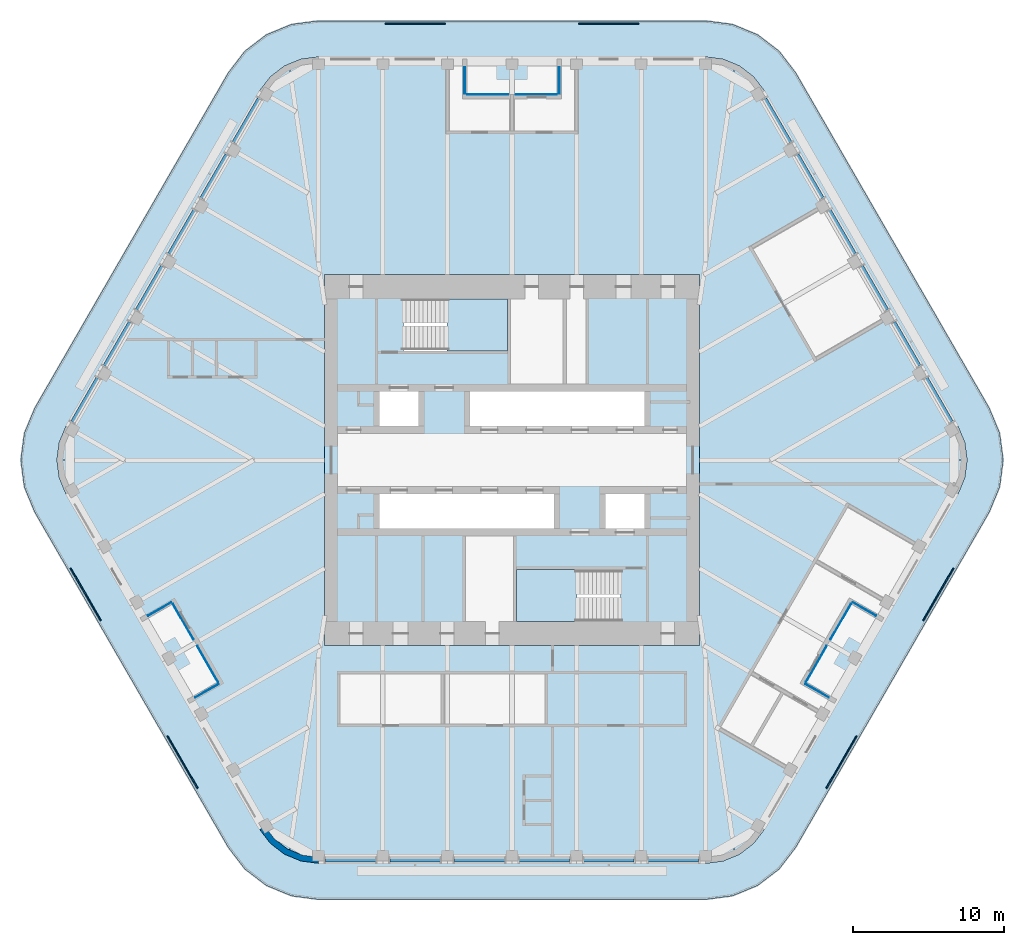
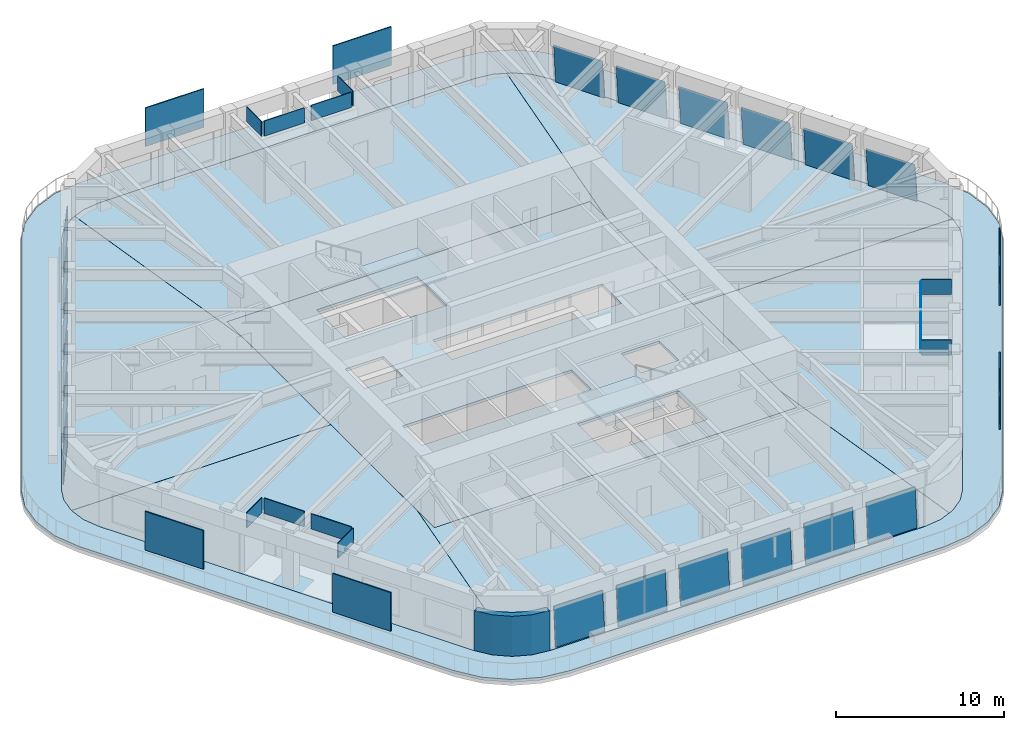
# One storey, part 12 of 20: 36 plates, 10 slabs, 1 wall, 20 elements without a shape of their own.
"""IFC4 building model written with IfcOpenShell, lengths in metres."""

from ifc_helpers import new_model, si_unit, direction, frame, origin, origin_2d, place, context, subcontext, project, spatial, polyline, rectangle, outline, extrude, material, layer, layer_set, type_object, element, aggregate, save


model = new_model("IFC4")

# Units and contexts
model_context = context("Model", 3, precision=1e-05, world=origin(), true_north=direction((0.0, 1.0)))
body_context = subcontext(model_context, "Body", "Model", "MODEL_VIEW")
ifc_project = project(units=[si_unit("LENGTHUNIT", "METRE"), si_unit("AREAUNIT", "SQUARE_METRE"), si_unit("VOLUMEUNIT", "CUBIC_METRE"), si_unit("PLANEANGLEUNIT", "RADIAN"), si_unit("MASSUNIT", "GRAM", prefix="KILO")], contexts=[model_context])

# Site, building, storey
site_placement = place(None, origin())
site = spatial("IfcSite", under=ifc_project, at=site_placement, CompositionType="ELEMENT")
building_placement = place(site_placement, origin())
building = spatial("IfcBuilding", under=site, at=building_placement, Name="Tarfa Lantern Tower", CompositionType="ELEMENT")
storey_placement = place(building_placement, frame((0.0, 0.0, 382.89990234375)))
storey = spatial("IfcBuildingStorey", under=building, at=storey_placement, Name="L87", CompositionType="ELEMENT", Elevation=382.89990234375)

# Slab
ifc_material_1 = material(Name="Concrete C40/50", Category="concrete")
ifc_layer_1 = layer(ifc_material_1, 0.199951171875)
ifc_layer_set_1 = layer_set([ifc_layer_1], Name="BS2 BALCONY SLAB 200")
slab_type_1 = type_object("IfcSlabType", Name="BS2 BALCONY SLAB 200", PredefinedType="FLOOR", material=ifc_layer_set_1)
slab_1_placement = place(storey_placement, frame((0.0, 0.0, -0.199951171875)))
element("IfcSlab", 1, at=slab_1_placement, inside=storey, type_object=slab_type_1, Name="Balcony L87", PredefinedType="FLOOR", context=body_context, shape_type="SweptSolid", body=[
    extrude(outline(polyline([(31.667724609375, 3.449951171875), (18.821533203125, 25.699951171875), (17.72509765625, 27.129150390625), (16.296142578125, 28.2255859375), (14.6318359375, 28.914794921875), (12.845947265625, 29.14990234375), (-12.845947265625, 29.14990234375), (-14.6318359375, 28.914794921875), (-16.296142578125, 28.2255859375), (-17.72509765625, 27.129150390625), (-18.821533203125, 25.699951171875), (-31.667724609375, 3.449951171875), (-32.35693359375, 1.785888671875), (-32.592041015625, 0.0), (-32.35693359375, -1.785888671875), (-31.667724609375, -3.449951171875), (-18.821533203125, -25.699951171875), (-17.72509765625, -27.129150390625), (-16.296142578125, -28.2255859375), (-14.6318359375, -28.914794921875), (-12.845947265625, -29.14990234375), (12.845947265625, -29.14990234375), (14.6318359375, -28.914794921875), (16.296142578125, -28.2255859375), (17.72509765625, -27.129150390625), (18.821533203125, -25.699951171875), (31.667724609375, -3.449951171875), (32.35693359375, -1.785888671875), (32.592041015625, 0.0), (32.35693359375, 1.785888671875), (31.667724609375, 3.449951171875)]), holes=[polyline([(29.589111328125, 2.25), (16.7431640625, 24.5), (16.028076171875, 25.431884765625), (15.095947265625, 26.147216796875), (14.0107421875, 26.5966796875), (12.845947265625, 26.75), (-12.845947265625, 26.75), (-14.0107421875, 26.5966796875), (-15.095947265625, 26.147216796875), (-16.028076171875, 25.431884765625), (-16.7431640625, 24.5), (-29.589111328125, 2.25), (-30.038818359375, 1.164794921875), (-30.192138671875, 0.0), (-30.038818359375, -1.164794921875), (-29.589111328125, -2.25), (-16.7431640625, -24.5), (-16.028076171875, -25.431884765625), (-15.095947265625, -26.147216796875), (-14.0107421875, -26.5966796875), (-12.845947265625, -26.75), (12.845947265625, -26.75), (14.0107421875, -26.5966796875), (15.095947265625, -26.147216796875), (16.028076171875, -25.431884765625), (16.7431640625, -24.5), (29.589111328125, -2.25), (30.038818359375, -1.164794921875), (30.192138671875, 0.0), (30.038818359375, 1.164794921875), (29.589111328125, 2.25)])]), origin(), (0.0, 0.0, 1.0), 0.199951171875),
])

# Curtain wall, plate
ifc_material_2 = material(Name="Aluminium framed curtain wall", Category="aluminium")
curtain_wall_type = type_object("IfcCurtainWallType", Name="CW4 CANTED GLAZING EXECUTIVE ZONE 2900", PredefinedType="USERDEFINED", material=ifc_material_2)
curtain_wall_1_placement = place(storey_placement, origin())
curtain_wall_1 = element("IfcCurtainWall", 2, at=curtain_wall_1_placement, inside=storey, type_object=curtain_wall_type, Name="CW4 NE L87", ObjectType="CURTAIN WALL", PredefinedType="USERDEFINED")
ifc_material_3 = material(Name="Laminated double glazing", Category="glass")
ifc_layer_2 = layer(ifc_material_3, 0.028076171875)
ifc_layer_set_2 = layer_set([ifc_layer_2], Name="CWP1 DOUBLE GLAZED PANEL")
plate_type_1 = type_object("IfcPlateType", Name="CWP1 DOUBLE GLAZED PANEL", PredefinedType="CURTAIN_PANEL", material=ifc_layer_set_2)
plate_1_placement = place(storey_placement, frame((29.27001953125, 2.602783203125, 0.0), z_axis=(0.862824887016, 0.498153387104, 0.08588607141), x_axis=(-0.500001024418, 0.866024812334, 1.558116e-06)))
plate_1 = element("IfcPlate", 3, at=plate_1_placement, type_object=plate_type_1, Name="CW4 panel 1.1", PredefinedType="CURTAIN_PANEL", context=body_context, shape_type="SweptSolid", body=[
    extrude(outline(polyline([(0.0, 0.0), (3.3519389773641257, 0.0), (3.3520626532439786, 2.8457148720581014), (-8.775595909633403e-05, 2.8457253565473764), (0.0, 0.0)])), origin(), (0.0, 0.0, -1.0), 0.028076171875),
])
aggregate(curtain_wall_1, [plate_1])

curtain_wall_2_placement = place(storey_placement, origin())
curtain_wall_2 = element("IfcCurtainWall", 4, at=curtain_wall_2_placement, inside=storey, type_object=curtain_wall_type, Name="CW4 NE L87", ObjectType="CURTAIN WALL", PredefinedType="USERDEFINED")
plate_2_placement = place(storey_placement, frame((27.129150390625, 6.31103515625, 0.0), z_axis=(0.862824887016, 0.498153387104, 0.08588607141), x_axis=(-0.500001024418, 0.866024812334, 1.558116e-06)))
plate_2 = element("IfcPlate", 5, at=plate_2_placement, type_object=plate_type_1, Name="CW4 panel 1.1", PredefinedType="CURTAIN_PANEL", context=body_context, shape_type="SweptSolid", body=[
    extrude(outline(polyline([(0.0, 0.0), (3.3519389773641257, 0.0), (3.3520626532439786, 2.8457148720581014), (-8.775595909633403e-05, 2.8457253565473764), (0.0, 0.0)])), origin(), (0.0, 0.0, -1.0), 0.028076171875),
])
aggregate(curtain_wall_2, [plate_2])

curtain_wall_3_placement = place(storey_placement, origin())
curtain_wall_3 = element("IfcCurtainWall", 6, at=curtain_wall_3_placement, inside=storey, type_object=curtain_wall_type, Name="CW4 NE L87", ObjectType="CURTAIN WALL", PredefinedType="USERDEFINED")
plate_3_placement = place(storey_placement, frame((24.988037109375, 10.019287109375, 0.0), z_axis=(0.862824887016, 0.498153387104, 0.08588607141), x_axis=(-0.500000791782, 0.866024946647, -1.558018e-06)))
plate_3 = element("IfcPlate", 7, at=plate_3_placement, type_object=plate_type_1, Name="CW4 panel 1.1", PredefinedType="CURTAIN_PANEL", context=body_context, shape_type="SweptSolid", body=[
    extrude(outline(polyline([(0.0, 0.0), (3.3521504092194707, 1.3877787807814457e-17), (3.3520537527119694, 2.845725356258983), (0.0001147753642385805, 2.8457148724310017), (0.0, 0.0)])), origin(), (0.0, 0.0, -1.0), 0.028076171875),
])
aggregate(curtain_wall_3, [plate_3])

curtain_wall_4_placement = place(storey_placement, origin())
curtain_wall_4 = element("IfcCurtainWall", 8, at=curtain_wall_4_placement, inside=storey, type_object=curtain_wall_type, Name="CW4 NE L87", ObjectType="CURTAIN WALL", PredefinedType="USERDEFINED")
plate_4_placement = place(storey_placement, frame((22.84716796875, 13.727783203125, 0.0), z_axis=(0.862824887016, 0.498153387104, 0.08588607141), x_axis=(-0.500001024418, 0.866024812334, 1.558116e-06)))
plate_4 = element("IfcPlate", 9, at=plate_4_placement, type_object=plate_type_1, Name="CW4 panel 1.1", PredefinedType="CURTAIN_PANEL", context=body_context, shape_type="SweptSolid", body=[
    extrude(outline(polyline([(0.0, 0.0), (3.3519389773641257, 0.0), (3.3520626532439786, 2.8457148720581014), (-8.775595909633403e-05, 2.8457253565473764), (0.0, 0.0)])), origin(), (0.0, 0.0, -1.0), 0.028076171875),
])
aggregate(curtain_wall_4, [plate_4])

curtain_wall_5_placement = place(storey_placement, origin())
curtain_wall_5 = element("IfcCurtainWall", 10, at=curtain_wall_5_placement, inside=storey, type_object=curtain_wall_type, Name="CW4 NE L87", ObjectType="CURTAIN WALL", PredefinedType="USERDEFINED")
plate_5_placement = place(storey_placement, frame((20.7060546875, 17.43603515625, 0.0), z_axis=(0.862824887016, 0.498153387104, 0.08588607141), x_axis=(-0.500001024418, 0.866024812334, 1.558116e-06)))
plate_5 = element("IfcPlate", 11, at=plate_5_placement, type_object=plate_type_1, Name="CW4 panel 1.1", PredefinedType="CURTAIN_PANEL", context=body_context, shape_type="SweptSolid", body=[
    extrude(outline(polyline([(0.0, 0.0), (3.3519389773641257, 0.0), (3.3520626532439786, 2.8457148720581014), (-8.775595909633403e-05, 2.8457253565473764), (0.0, 0.0)])), origin(), (0.0, 0.0, -1.0), 0.028076171875),
])
aggregate(curtain_wall_5, [plate_5])

curtain_wall_6_placement = place(storey_placement, origin())
curtain_wall_6 = element("IfcCurtainWall", 12, at=curtain_wall_6_placement, inside=storey, type_object=curtain_wall_type, Name="CW4 NE L87", ObjectType="CURTAIN WALL", PredefinedType="USERDEFINED")
plate_6_placement = place(storey_placement, frame((18.56494140625, 21.144287109375, 0.0), z_axis=(0.862843349937, 0.498127763815, 0.085849195601), x_axis=(-0.499973277357, 0.866040831549, -4.254882e-06)))
plate_6 = element("IfcPlate", 13, at=plate_6_placement, type_object=plate_type_1, Name="CW4 panel 1.1", PredefinedType="CURTAIN_PANEL", context=body_context, shape_type="SweptSolid", body=[
    extrude(outline(polyline([(0.0, 0.0), (3.352028345637818, -1.3877787807814457e-17), (3.3519162760379455, 2.845725351493968), (-2.2697638399912954e-05, 2.845696721205734), (0.0, 0.0)])), origin(), (0.0, 0.0, -1.0), 0.028076171875),
])
aggregate(curtain_wall_6, [plate_6])

curtain_wall_7_placement = place(storey_placement, origin())
curtain_wall_7 = element("IfcCurtainWall", 14, at=curtain_wall_7_placement, inside=storey, type_object=curtain_wall_type, Name="CW4 NW L87", ObjectType="CURTAIN WALL", PredefinedType="USERDEFINED")
plate_7_placement = place(storey_placement, frame((-16.88916015625, 24.04736328125, 0.0), z_axis=(-0.862843349937, 0.498127763815, 0.085849195601), x_axis=(-0.499973277357, -0.866040831549, 4.254882e-06)))
plate_7 = element("IfcPlate", 15, at=plate_7_placement, type_object=plate_type_1, Name="CW4 panel 1.1", PredefinedType="CURTAIN_PANEL", context=body_context, shape_type="SweptSolid", body=[
    extrude(outline(polyline([(0.0, 0.0), (3.352028345637818, 1.3877787807814457e-17), (3.352051043276218, 2.845696721205734), (0.00011206959987255532, 2.845725351493968), (0.0, 0.0)])), origin(), (0.0, 0.0, -1.0), 0.028076171875),
])
aggregate(curtain_wall_7, [plate_7])

curtain_wall_8_placement = place(storey_placement, origin())
curtain_wall_8 = element("IfcCurtainWall", 16, at=curtain_wall_8_placement, inside=storey, type_object=curtain_wall_type, Name="CW4 NW L87", ObjectType="CURTAIN WALL", PredefinedType="USERDEFINED")
plate_8_placement = place(storey_placement, frame((-19.030029296875, 20.3388671875, 0.0), z_axis=(-0.862824887016, 0.498153387104, 0.08588607141), x_axis=(-0.500001024418, -0.866024812334, -1.558116e-06)))
plate_8 = element("IfcPlate", 17, at=plate_8_placement, type_object=plate_type_1, Name="CW4 panel 1.1", PredefinedType="CURTAIN_PANEL", context=body_context, shape_type="SweptSolid", body=[
    extrude(outline(polyline([(0.0, 0.0), (3.3519389773641257, 0.0), (3.352026733323222, 2.8457253565473764), (-0.00012367587985246333, 2.8457148720581014), (0.0, 0.0)])), origin(), (0.0, 0.0, -1.0), 0.028076171875),
])
aggregate(curtain_wall_8, [plate_8])

curtain_wall_9_placement = place(storey_placement, origin())
curtain_wall_9 = element("IfcCurtainWall", 18, at=curtain_wall_9_placement, inside=storey, type_object=curtain_wall_type, Name="CW4 NW L87", ObjectType="CURTAIN WALL", PredefinedType="USERDEFINED")
plate_9_placement = place(storey_placement, frame((-21.171142578125, 16.630615234375, 0.0), z_axis=(-0.862824887016, 0.498153387104, 0.08588607141), x_axis=(-0.500001024418, -0.866024812334, -1.558116e-06)))
plate_9 = element("IfcPlate", 19, at=plate_9_placement, type_object=plate_type_1, Name="CW4 panel 1.1", PredefinedType="CURTAIN_PANEL", context=body_context, shape_type="SweptSolid", body=[
    extrude(outline(polyline([(0.0, 0.0), (3.3519389773641257, 0.0), (3.352026733323222, 2.8457253565473764), (-0.00012367587985246333, 2.8457148720581014), (0.0, 0.0)])), origin(), (0.0, 0.0, -1.0), 0.028076171875),
])
aggregate(curtain_wall_9, [plate_9])

curtain_wall_10_placement = place(storey_placement, origin())
curtain_wall_10 = element("IfcCurtainWall", 20, at=curtain_wall_10_placement, inside=storey, type_object=curtain_wall_type, Name="CW4 NW L87", ObjectType="CURTAIN WALL", PredefinedType="USERDEFINED")
plate_10_placement = place(storey_placement, frame((-23.31201171875, 12.92236328125, 0.0), z_axis=(-0.862824887016, 0.498153387104, 0.08588607141), x_axis=(-0.500000791782, -0.866024946647, 1.558018e-06)))
plate_10 = element("IfcPlate", 21, at=plate_10_placement, type_object=plate_type_1, Name="CW4 panel 1.1", PredefinedType="CURTAIN_PANEL", context=body_context, shape_type="SweptSolid", body=[
    extrude(outline(polyline([(0.0, 0.0), (3.3521504092194707, -1.3877787807814457e-17), (3.3520356338552317, 2.8457148724310017), (9.665650750141717e-05, 2.845725356258983), (0.0, 0.0)])), origin(), (0.0, 0.0, -1.0), 0.028076171875),
])
aggregate(curtain_wall_10, [plate_10])

curtain_wall_11_placement = place(storey_placement, origin())
curtain_wall_11 = element("IfcCurtainWall", 22, at=curtain_wall_11_placement, inside=storey, type_object=curtain_wall_type, Name="CW4 NW L87", ObjectType="CURTAIN WALL", PredefinedType="USERDEFINED")
plate_11_placement = place(storey_placement, frame((-25.453125, 9.2138671875, 0.0), z_axis=(-0.862824887016, 0.498153387104, 0.08588607141), x_axis=(-0.500001024418, -0.866024812334, -1.558116e-06)))
plate_11 = element("IfcPlate", 23, at=plate_11_placement, type_object=plate_type_1, Name="CW4 panel 1.1", PredefinedType="CURTAIN_PANEL", context=body_context, shape_type="SweptSolid", body=[
    extrude(outline(polyline([(0.0, 0.0), (3.3519389773641257, 0.0), (3.352026733323222, 2.8457253565473764), (-0.00012367587985246333, 2.8457148720581014), (0.0, 0.0)])), origin(), (0.0, 0.0, -1.0), 0.028076171875),
])
aggregate(curtain_wall_11, [plate_11])

curtain_wall_12_placement = place(storey_placement, origin())
curtain_wall_12 = element("IfcCurtainWall", 24, at=curtain_wall_12_placement, inside=storey, type_object=curtain_wall_type, Name="CW4 NW L87", ObjectType="CURTAIN WALL", PredefinedType="USERDEFINED")
plate_12_placement = place(storey_placement, frame((-27.593994140625, 5.505615234375, 0.0), z_axis=(-0.862824887016, 0.498153387104, 0.08588607141), x_axis=(-0.500001024418, -0.866024812334, -1.558116e-06)))
plate_12 = element("IfcPlate", 25, at=plate_12_placement, type_object=plate_type_1, Name="CW4 panel 1.1", PredefinedType="CURTAIN_PANEL", context=body_context, shape_type="SweptSolid", body=[
    extrude(outline(polyline([(0.0, 0.0), (3.3519389773641257, 0.0), (3.352026733323222, 2.8457253565473764), (-0.00012367587985246333, 2.8457148720581014), (0.0, 0.0)])), origin(), (0.0, 0.0, -1.0), 0.028076171875),
])
aggregate(curtain_wall_12, [plate_12])

curtain_wall_13_placement = place(storey_placement, origin())
curtain_wall_13 = element("IfcCurtainWall", 26, at=curtain_wall_13_placement, inside=storey, type_object=curtain_wall_type, Name="CW4 S L87", ObjectType="CURTAIN WALL", PredefinedType="USERDEFINED")
plate_13_placement = place(storey_placement, frame((-12.381103515625, -26.64990234375, 0.0), z_axis=(0.0, -0.996305654944, 0.08587806429), x_axis=(1.0, 0.0, 0.0)))
plate_13 = element("IfcPlate", 27, at=plate_13_placement, type_object=plate_type_1, Name="CW4 panel 1.1", PredefinedType="CURTAIN_PANEL", context=body_context, shape_type="SweptSolid", body=[
    extrude(outline(polyline([(0.0, 0.0), (3.35205078125, 0.0), (3.35205078125, 2.845718142876306), (0.0, 2.845718142876306), (0.0, 0.0)])), origin(), (0.0, 0.0, -1.0), 0.028076171875),
])
aggregate(curtain_wall_13, [plate_13])

curtain_wall_14_placement = place(storey_placement, origin())
curtain_wall_14 = element("IfcCurtainWall", 28, at=curtain_wall_14_placement, inside=storey, type_object=curtain_wall_type, Name="CW4 S L87", ObjectType="CURTAIN WALL", PredefinedType="USERDEFINED")
plate_14_placement = place(storey_placement, frame((-8.09912109375, -26.64990234375, 0.0), z_axis=(0.0, -0.996305654944, 0.08587806429), x_axis=(1.0, 0.0, 0.0)))
plate_14 = element("IfcPlate", 29, at=plate_14_placement, type_object=plate_type_1, Name="CW4 panel 1.1", PredefinedType="CURTAIN_PANEL", context=body_context, shape_type="SweptSolid", body=[
    extrude(outline(polyline([(0.0, 0.0), (3.35205078125, 0.0), (3.35205078125, 2.845718142876306), (0.0, 2.845718142876306), (0.0, 0.0)])), origin(), (0.0, 0.0, -1.0), 0.028076171875),
])
aggregate(curtain_wall_14, [plate_14])

curtain_wall_15_placement = place(storey_placement, origin())
curtain_wall_15 = element("IfcCurtainWall", 30, at=curtain_wall_15_placement, inside=storey, type_object=curtain_wall_type, Name="CW4 S L87", ObjectType="CURTAIN WALL", PredefinedType="USERDEFINED")
plate_15_placement = place(storey_placement, frame((-3.81689453125, -26.64990234375, 0.0), z_axis=(0.0, -0.996305654944, 0.08587806429), x_axis=(1.0, 0.0, 0.0)))
plate_15 = element("IfcPlate", 31, at=plate_15_placement, type_object=plate_type_1, Name="CW4 panel 1.1", PredefinedType="CURTAIN_PANEL", context=body_context, shape_type="SweptSolid", body=[
    extrude(outline(polyline([(0.0, 0.0), (3.351806640625, 0.0), (3.351806640625, 2.845718142876306), (0.0, 2.845718142876306), (0.0, 0.0)])), origin(), (0.0, 0.0, -1.0), 0.028076171875),
])
aggregate(curtain_wall_15, [plate_15])

curtain_wall_16_placement = place(storey_placement, origin())
curtain_wall_16 = element("IfcCurtainWall", 32, at=curtain_wall_16_placement, inside=storey, type_object=curtain_wall_type, Name="CW4 S L87", ObjectType="CURTAIN WALL", PredefinedType="USERDEFINED")
plate_16_placement = place(storey_placement, frame((0.465087890625, -26.64990234375, 0.0), z_axis=(0.0, -0.996305654944, 0.08587806429), x_axis=(1.0, 0.0, 0.0)))
plate_16 = element("IfcPlate", 33, at=plate_16_placement, type_object=plate_type_1, Name="CW4 panel 1.1", PredefinedType="CURTAIN_PANEL", context=body_context, shape_type="SweptSolid", body=[
    extrude(outline(polyline([(0.0, 0.0), (3.351806640625, 0.0), (3.351806640625, 2.845718142876306), (0.0, 2.845718142876306), (0.0, 0.0)])), origin(), (0.0, 0.0, -1.0), 0.028076171875),
])
aggregate(curtain_wall_16, [plate_16])

curtain_wall_17_placement = place(storey_placement, origin())
curtain_wall_17 = element("IfcCurtainWall", 34, at=curtain_wall_17_placement, inside=storey, type_object=curtain_wall_type, Name="CW4 S L87", ObjectType="CURTAIN WALL", PredefinedType="USERDEFINED")
plate_17_placement = place(storey_placement, frame((4.7470703125, -26.64990234375, 0.0), z_axis=(0.0, -0.996305654944, 0.08587806429), x_axis=(1.0, 0.0, 0.0)))
plate_17 = element("IfcPlate", 35, at=plate_17_placement, type_object=plate_type_1, Name="CW4 panel 1.1", PredefinedType="CURTAIN_PANEL", context=body_context, shape_type="SweptSolid", body=[
    extrude(outline(polyline([(0.0, 0.0), (3.35205078125, 0.0), (3.35205078125, 2.845718142876306), (0.0, 2.845718142876306), (0.0, 0.0)])), origin(), (0.0, 0.0, -1.0), 0.028076171875),
])
aggregate(curtain_wall_17, [plate_17])

curtain_wall_18_placement = place(storey_placement, origin())
curtain_wall_18 = element("IfcCurtainWall", 36, at=curtain_wall_18_placement, inside=storey, type_object=curtain_wall_type, Name="CW4 S L87", ObjectType="CURTAIN WALL", PredefinedType="USERDEFINED")
plate_18_placement = place(storey_placement, frame((9.029052734375, -26.64990234375, 0.0), z_axis=(0.0, -0.996305654944, 0.08587806429), x_axis=(1.0, 0.0, 0.0)))
plate_18 = element("IfcPlate", 37, at=plate_18_placement, type_object=plate_type_1, Name="CW4 panel 1.1", PredefinedType="CURTAIN_PANEL", context=body_context, shape_type="SweptSolid", body=[
    extrude(outline(polyline([(0.0, 0.0), (3.35205078125, 0.0), (3.35205078125, 2.845718142876306), (0.0, 2.845718142876306), (0.0, 0.0)])), origin(), (0.0, 0.0, -1.0), 0.028076171875),
])
aggregate(curtain_wall_18, [plate_18])

# Slabs
ifc_layer_3 = layer(ifc_material_1, 0.199951171875)
ifc_layer_set_3 = layer_set([ifc_layer_3], Name="FS1 FLOOR SLAB 200")
slab_type_2 = type_object("IfcSlabType", Name="FS1 FLOOR SLAB 200", PredefinedType="FLOOR", material=ifc_layer_set_3)
slab_2_placement = place(storey_placement, frame((0.0, 0.0, -0.199951171875)))
element("IfcSlab", 38, at=slab_2_placement, inside=storey, type_object=slab_type_2, Name="Floor slab L87", PredefinedType="FLOOR", context=body_context, shape_type="SweptSolid", body=[
    extrude(outline(polyline([(-12.425048828125, -12.300048828125), (12.425048828125, -12.300048828125), (12.425048828125, 12.300048828125), (-12.425048828125, 12.300048828125), (-12.425048828125, -12.300048828125)]), holes=[polyline([(-8.800048828125, 2.25), (-6.199951171875, 2.25), (-6.199951171875, 4.550048828125), (-8.800048828125, 4.550048828125), (-8.800048828125, 2.25)]), polyline([(-2.800048828125, 2.25), (8.800048828125, 2.25), (8.800048828125, 4.550048828125), (-2.800048828125, 4.550048828125), (-2.800048828125, 2.25)]), polyline([(8.800048828125, -2.25), (6.199951171875, -2.25), (6.199951171875, -4.550048828125), (8.800048828125, -4.550048828125), (8.800048828125, -2.25)]), polyline([(2.800048828125, -2.25), (-8.800048828125, -2.25), (-8.800048828125, -4.550048828125), (2.800048828125, -4.550048828125), (2.800048828125, -2.25)]), polyline([(-7.199951171875, 7.25), (-0.300048828125, 7.25), (-0.300048828125, 10.699951171875), (-7.199951171875, 10.699951171875), (-7.199951171875, 7.25)]), polyline([(7.199951171875, -7.25), (0.300048828125, -7.25), (0.300048828125, -10.699951171875), (7.199951171875, -10.699951171875), (7.199951171875, -7.25)])]), origin(), (0.0, 0.0, 1.0), 0.199951171875),
])
slab_3_placement = place(storey_placement, frame((0.0, 0.0, -0.199951171875)))
element("IfcSlab", 39, at=slab_3_placement, inside=storey, type_object=slab_type_2, Name="Floor slab L87 NE bay", PredefinedType="FLOOR", context=body_context, shape_type="SweptSolid", body=[
    extrude(outline(polyline([(29.58740234375, 2.2490234375), (16.741455078125, 24.498779296875), (16.026611328125, 25.4306640625), (15.094970703125, 26.145263671875), (14.802001953125, 26.2666015625), (12.427001953125, 10.2998046875), (12.427001953125, 0.001953125), (30.189697265625, 0.001953125), (30.036865234375, 1.1640625), (29.58740234375, 2.2490234375)])), origin(), (0.0, 0.0, 1.0), 0.199951171875),
])
slab_4_placement = place(storey_placement, frame((0.0, 0.0, -0.199951171875)))
element("IfcSlab", 40, at=slab_4_placement, inside=storey, type_object=slab_type_2, Name="Floor slab L87 N bay", PredefinedType="FLOOR", context=body_context, shape_type="SweptSolid", body=[
    extrude(outline(polyline([(-12.427001953125, 10.3271484375), (-12.427001953125, 12.302001953125), (12.427001953125, 12.302001953125), (12.427001953125, 10.3271484375), (14.79833984375, 26.268310546875), (14.01025390625, 26.5947265625), (12.845947265625, 26.748046875), (-12.845947265625, 26.748046875), (-14.01025390625, 26.5947265625), (-14.79833984375, 26.268310546875), (-12.427001953125, 10.3271484375)])), origin(), (0.0, 0.0, 1.0), 0.199951171875),
])
slab_5_placement = place(storey_placement, frame((0.0, 0.0, -0.199951171875)))
element("IfcSlab", 41, at=slab_5_placement, inside=storey, type_object=slab_type_2, Name="Floor slab L87 NW bay", PredefinedType="FLOOR", context=body_context, shape_type="SweptSolid", body=[
    extrude(outline(polyline([(-12.427001953125, 0.001953125), (-12.427001953125, 10.2998046875), (-14.802001953125, 26.2666015625), (-15.094970703125, 26.145263671875), (-16.026611328125, 25.4306640625), (-16.741455078125, 24.498779296875), (-29.58740234375, 2.2490234375), (-30.036865234375, 1.1640625), (-30.189697265625, 0.001953125), (-12.427001953125, 0.001953125)])), origin(), (0.0, 0.0, 1.0), 0.199951171875),
])
slab_6_placement = place(storey_placement, frame((0.0, 0.0, -0.199951171875)))
element("IfcSlab", 42, at=slab_6_placement, inside=storey, type_object=slab_type_2, Name="Floor slab L87 SW bay", PredefinedType="FLOOR", context=body_context, shape_type="SweptSolid", body=[
    extrude(outline(polyline([(-12.427001953125, -10.2998046875), (-12.427001953125, -0.001953125), (-30.189697265625, -0.001953125), (-30.036865234375, -1.1640625), (-29.58740234375, -2.2490234375), (-16.741455078125, -24.498779296875), (-16.026611328125, -25.4306640625), (-15.094970703125, -26.145263671875), (-14.802001953125, -26.2666015625), (-12.427001953125, -10.2998046875)])), origin(), (0.0, 0.0, 1.0), 0.199951171875),
])
slab_7_placement = place(storey_placement, frame((0.0, 0.0, -0.199951171875)))
element("IfcSlab", 43, at=slab_7_placement, inside=storey, type_object=slab_type_2, Name="Floor slab L87 S bay", PredefinedType="FLOOR", context=body_context, shape_type="SweptSolid", body=[
    extrude(outline(polyline([(12.427001953125, -10.3271484375), (12.427001953125, -12.302001953125), (-12.427001953125, -12.302001953125), (-12.427001953125, -10.3271484375), (-14.79833984375, -26.268310546875), (-14.01025390625, -26.5947265625), (-12.845947265625, -26.748046875), (12.845947265625, -26.748046875), (14.01025390625, -26.5947265625), (14.79833984375, -26.268310546875), (12.427001953125, -10.3271484375)])), origin(), (0.0, 0.0, 1.0), 0.199951171875),
])
slab_8_placement = place(storey_placement, frame((0.0, 0.0, -0.199951171875)))
element("IfcSlab", 44, at=slab_8_placement, inside=storey, type_object=slab_type_2, Name="Floor slab L87 SE bay", PredefinedType="FLOOR", context=body_context, shape_type="SweptSolid", body=[
    extrude(outline(polyline([(12.427001953125, -0.001953125), (12.427001953125, -10.2998046875), (14.802001953125, -26.2666015625), (15.094970703125, -26.145263671875), (16.026611328125, -25.4306640625), (16.741455078125, -24.498779296875), (29.58740234375, -2.2490234375), (30.036865234375, -1.1640625), (30.189697265625, -0.001953125), (12.427001953125, -0.001953125)])), origin(), (0.0, 0.0, 1.0), 0.199951171875),
])

# Plates
ifc_material_4 = material(Name="Aluminium fascia panel", Category="aluminium")
ifc_layer_4 = layer(ifc_material_4, 0.050048828125)
ifc_layer_set_4 = layer_set([ifc_layer_4], Name="LF1 LOGGIA HEAD FASCIA 50")
plate_type_2 = type_object("IfcPlateType", Name="LF1 LOGGIA HEAD FASCIA 50", PredefinedType="USERDEFINED", material=ifc_layer_set_4)
for number, where, z_axis, x_axis, name in (
    (45, (1.615966796875, 24.25, 2.900146484375), (0.0, 0.0, 1.0), (-1.0, 0.0, 0.0), "Terrace head fascia N"),
    (46, (-1.615966796875, 24.25, 2.900146484375), (0.0, 0.0, 1.0), (-1.0, 0.0, 0.0), "Terrace head fascia N"),
):
    element("IfcPlate", number, at=place(storey_placement, frame(where, z_axis=z_axis, x_axis=x_axis)), inside=storey, type_object=plate_type_2, Name=name, ObjectType="FASCIA", PredefinedType="USERDEFINED", context=body_context, shape_type="SweptSolid", body=[
        extrude(rectangle(XDim=2.73193359375, YDim=0.050048828125, at=origin_2d()), origin(), (0.0, 0.0, 1.0), 1.10009765625),
    ])
for number, where, z_axis, x_axis, name in (
    (47, (3.132080078125, 25.18505859375, 2.900146484375), (0.0, 0.0, 1.0), (0.0, -1.0, 0.0), "Terrace head fascia N"),
    (48, (-3.132080078125, 25.18505859375, 2.900146484375), (0.0, 0.0, 1.0), (0.0, -1.0, 0.0), "Terrace head fascia N"),
):
    element("IfcPlate", number, at=place(storey_placement, frame(where, z_axis=z_axis, x_axis=x_axis)), inside=storey, type_object=plate_type_2, Name=name, ObjectType="FASCIA", PredefinedType="USERDEFINED", context=body_context, shape_type="SweptSolid", body=[
        extrude(rectangle(XDim=1.77001953125, YDim=0.050048828125, at=origin_2d()), origin(), (0.0, 0.0, 1.0), 1.10009765625),
    ])
for number, where, z_axis, x_axis, name in (
    (49, (-21.80908203125, -10.7255859375, 2.900146484375), (0.0, 0.0, 1.0), (0.5, -0.866025403784, 0.0), "Terrace head fascia SW"),
    (50, (-20.193115234375, -13.5244140625, 2.900146484375), (0.0, 0.0, 1.0), (0.5, -0.866025403784, 0.0), "Terrace head fascia SW"),
):
    element("IfcPlate", number, at=place(storey_placement, frame(where, z_axis=z_axis, x_axis=x_axis)), inside=storey, type_object=plate_type_2, Name=name, ObjectType="FASCIA", PredefinedType="USERDEFINED", context=body_context, shape_type="SweptSolid", body=[
        extrude(rectangle(XDim=2.73193359375, YDim=0.050048828125, at=origin_2d()), origin(), (0.0, 0.0, 1.0), 1.10009765625),
    ])
for number, where, z_axis, x_axis, name in (
    (51, (-23.376953125, -9.880126953125, 2.900146484375), (0.0, 0.0, 1.0), (0.866025403784, 0.5, 0.0), "Terrace head fascia SW"),
    (52, (-20.244873046875, -15.304931640625, 2.900146484375), (0.0, 0.0, 1.0), (0.866025403784, 0.5, 0.0), "Terrace head fascia SW"),
):
    element("IfcPlate", number, at=place(storey_placement, frame(where, z_axis=z_axis, x_axis=x_axis)), inside=storey, type_object=plate_type_2, Name=name, ObjectType="FASCIA", PredefinedType="USERDEFINED", context=body_context, shape_type="SweptSolid", body=[
        extrude(rectangle(XDim=1.77001953125, YDim=0.050048828125, at=origin_2d()), origin(), (0.0, 0.0, 1.0), 1.10009765625),
    ])
for number, where, z_axis, x_axis, name in (
    (53, (20.193115234375, -13.5244140625, 2.900146484375), (0.0, 0.0, 1.0), (0.5, 0.866025403784, 0.0), "Terrace head fascia SE"),
    (54, (21.80908203125, -10.7255859375, 2.900146484375), (0.0, 0.0, 1.0), (0.5, 0.866025403784, 0.0), "Terrace head fascia SE"),
):
    element("IfcPlate", number, at=place(storey_placement, frame(where, z_axis=z_axis, x_axis=x_axis)), inside=storey, type_object=plate_type_2, Name=name, ObjectType="FASCIA", PredefinedType="USERDEFINED", context=body_context, shape_type="SweptSolid", body=[
        extrude(rectangle(XDim=2.73193359375, YDim=0.050048828125, at=origin_2d()), origin(), (0.0, 0.0, 1.0), 1.10009765625),
    ])
for number, where, z_axis, x_axis, name in (
    (55, (20.244873046875, -15.304931640625, 2.900146484375), (0.0, 0.0, 1.0), (-0.866025403784, 0.5, 0.0), "Terrace head fascia SE"),
    (56, (23.376953125, -9.880126953125, 2.900146484375), (0.0, 0.0, 1.0), (-0.866025403784, 0.5, 0.0), "Terrace head fascia SE"),
):
    element("IfcPlate", number, at=place(storey_placement, frame(where, z_axis=z_axis, x_axis=x_axis)), inside=storey, type_object=plate_type_2, Name=name, ObjectType="FASCIA", PredefinedType="USERDEFINED", context=body_context, shape_type="SweptSolid", body=[
        extrude(rectangle(XDim=1.77001953125, YDim=0.050048828125, at=origin_2d()), origin(), (0.0, 0.0, 1.0), 1.10009765625),
    ])
ifc_material_5 = material(Name="Perforated limestone screen", Category="masonry")
ifc_layer_5 = layer(ifc_material_5, 0.080078125)
ifc_layer_set_5 = layer_set([ifc_layer_5], Name="SC1 STONE SCREEN 80")
plate_type_3 = type_object("IfcPlateType", Name="SC1 STONE SCREEN 80", PredefinedType="USERDEFINED", material=ifc_layer_set_5)
for number, where, z_axis, x_axis, name in (
    (57, (6.423095703125, 28.949951171875, 1.2001953125), (0.0, 0.0, 1.0), (-1.0, 0.0, 0.0), "Stone screen N 1"),
    (58, (-6.423095703125, 28.949951171875, 1.2001953125), (0.0, 0.0, 1.0), (-1.0, 0.0, 0.0), "Stone screen N 2"),
    (59, (-28.282958984375, -8.91259765625, 1.2001953125), (0.0, 0.0, 1.0), (0.5, -0.866025403784, 0.0), "Stone screen SW 1"),
    (60, (-21.85986328125, -20.03759765625, 1.2001953125), (0.0, 0.0, 1.0), (0.5, -0.866025403784, 0.0), "Stone screen SW 2"),
    (61, (21.85986328125, -20.03759765625, 1.2001953125), (0.0, 0.0, 1.0), (0.5, 0.866025403784, 0.0), "Stone screen SE 1"),
    (62, (28.282958984375, -8.91259765625, 1.2001953125), (0.0, 0.0, 1.0), (0.5, 0.866025403784, 0.0), "Stone screen SE 2"),
):
    element("IfcPlate", number, at=place(storey_placement, frame(where, z_axis=z_axis, x_axis=x_axis)), inside=storey, type_object=plate_type_3, Name=name, ObjectType="SCREEN", PredefinedType="USERDEFINED", context=body_context, shape_type="SweptSolid", body=[
        extrude(rectangle(XDim=4.0, YDim=0.080078125, at=origin_2d()), origin(), (0.0, 0.0, 1.0), 2.800048828125),
    ])

# Stair, slab
stair_type = type_object("IfcStairType", Name="ST-T10 HALF-TURN STAIR 4200 RISE", PredefinedType="HALF_TURN_STAIR", material=ifc_material_1)
stair_1_placement = place(storey_placement, origin())
stair_1 = element("IfcStair", 63, at=stair_1_placement, inside=storey, type_object=stair_type, Name="Stair ST1", PredefinedType="HALF_TURN_STAIR")
ifc_layer_6 = layer(ifc_material_1, 0.199951171875)
ifc_layer_set_6 = layer_set([ifc_layer_6], Name="SL1 STAIR LANDING 200")
slab_type_3 = type_object("IfcSlabType", Name="SL1 STAIR LANDING 200", PredefinedType="LANDING", material=ifc_layer_set_6)
slab_9_placement = place(storey_placement, frame((0.0, 0.0, 1.900146484375)))
slab_9 = element("IfcSlab", 64, at=slab_9_placement, type_object=slab_type_3, Name="ST1 landing 1", PredefinedType="LANDING", context=body_context, shape_type="SweptSolid", body=[
    extrude(outline(polyline([(-4.320068359375, 7.25), (-0.300048828125, 7.25), (-0.300048828125, 10.699951171875), (-4.320068359375, 10.699951171875), (-4.320068359375, 7.25)])), origin(), (0.0, 0.0, 1.0), 0.199951171875),
])
aggregate(stair_1, [slab_9])

stair_2_placement = place(storey_placement, origin())
stair_2 = element("IfcStair", 65, at=stair_2_placement, inside=storey, type_object=stair_type, Name="Stair ST2", PredefinedType="HALF_TURN_STAIR")
slab_10_placement = place(storey_placement, frame((0.0, 0.0, 1.900146484375)))
slab_10 = element("IfcSlab", 66, at=slab_10_placement, type_object=slab_type_3, Name="ST2 landing 1", PredefinedType="LANDING", context=body_context, shape_type="SweptSolid", body=[
    extrude(outline(polyline([(4.320068359375, -7.25), (0.300048828125, -7.25), (0.300048828125, -10.699951171875), (4.320068359375, -10.699951171875), (4.320068359375, -7.25)])), origin(), (0.0, 0.0, 1.0), 0.199951171875),
])
aggregate(stair_2, [slab_10])

# Wall
ifc_material_6 = material(Name="Limestone cladding on blockwork", Category="masonry")
ifc_layer_7 = layer(ifc_material_6, 0.39990234375)
ifc_layer_set_7 = layer_set([ifc_layer_7], Name="EW2 CURVED STONE CORNER 400")
wall_type = type_object("IfcWallType", Name="EW2 CURVED STONE CORNER 400", PredefinedType="SOLIDWALL", material=ifc_layer_set_7)
wall_placement = place(storey_placement, origin())
element("IfcWall", 67, at=wall_placement, inside=storey, type_object=wall_type, Name="Stone corner SW-S", PredefinedType="SOLIDWALL", context=body_context, shape_type="SweptSolid", body=[
    extrude(outline(polyline([(-16.7431640625, -24.5), (-16.028076171875, -25.431884765625), (-15.095947265625, -26.147216796875), (-14.0107421875, -26.5966796875), (-12.845947265625, -26.75), (-12.845947265625, -26.35009765625), (-13.9072265625, -26.210205078125), (-14.89599609375, -25.80078125), (-15.7451171875, -25.149169921875), (-16.396728515625, -24.300048828125), (-16.7431640625, -24.5)])), origin(), (0.0, 0.0, 1.0), 2.900146484375),
])

save(model, "model.ifc")
